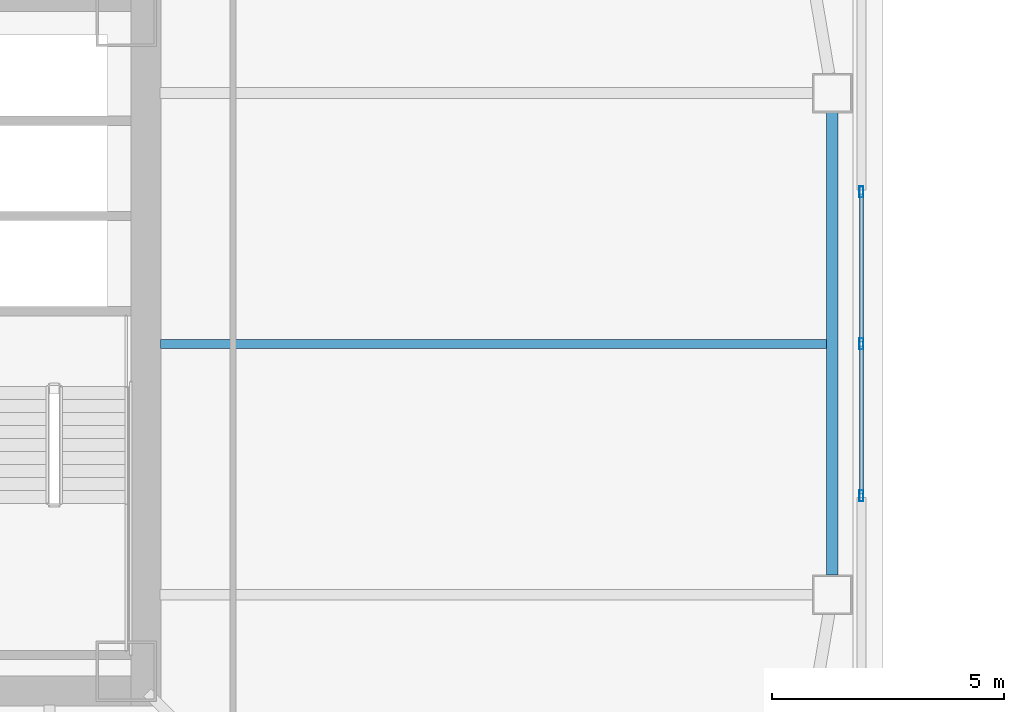
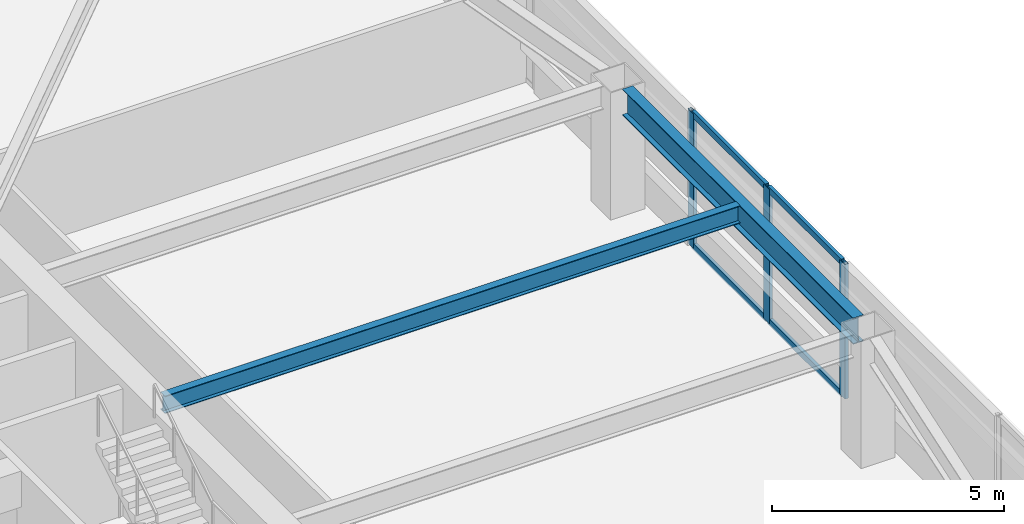
# One storey, part 9 of 45: 7 members, 2 beams, 1 element without a shape of its own.
"""IFC4 building model written with IfcOpenShell, lengths in metres."""

import ifcopenshell
import ifcopenshell.guid

model = None  # the IFC model being written
_history = None  # IfcOwnerHistory: only IFC2X3 demands one
_inside = {}  # id of a spatial element -> (the spatial element, [elements in it])
_under = {}  # id of a project, library or spatial element -> (it, [spatial elements below it])
_declared = {}  # id of a project -> (the project, [libraries it declares])
_typed = {}  # id of a type object -> (the type object, [elements of that type])
_made_of = {}  # id of a material, layer set ... -> (it, [elements and type objects made of it])


def new_model(schema):
    """Start an empty IFC model of exactly this schema.

    Asked for "IFC4X3", IfcOpenShell would pick the latest addendum, in which some entities
    have other attributes; the version numbers below select the first issue.
    IFC2X3 requires an IfcOwnerHistory on every rooted entity: one is made here for all.
    """
    global model, _history
    if schema == "IFC4X3":
        model = ifcopenshell.file(schema_version=(4, 3, 0, 0))
    else:
        model = ifcopenshell.file(schema=schema)
    _inside.clear()
    _under.clear()
    _declared.clear()
    _typed.clear()
    _made_of.clear()
    _history = None
    if model.schema == "IFC2X3":
        org = make("IfcOrganization", Name="unknown")
        user = make(
            "IfcPersonAndOrganization",
            ThePerson=make("IfcPerson", FamilyName="unknown"),
            TheOrganization=org,
        )
        app = make(
            "IfcApplication",
            ApplicationDeveloper=org,
            Version="unknown",
            ApplicationFullName="unknown",
            ApplicationIdentifier="unknown",
        )
        _history = make(
            "IfcOwnerHistory",
            OwningUser=user,
            OwningApplication=app,
            ChangeAction="ADDED",
            CreationDate=0,
        )
    return model


def make(cls, **values):
    """One entity of the class cls with the attributes given. An attribute that is None is left unset."""
    return model.create_entity(
        cls, **{name: value for name, value in values.items() if value is not None}
    )


def rooted(cls, **values):
    """An entity with a GlobalId (a new one), such as an element, a storey or a relation."""
    return make(cls, GlobalId=ifcopenshell.guid.new(), OwnerHistory=_history, **values)


def si_unit(unit_type, name, prefix=None):
    """IfcSIUnit, for example si_unit("LENGTHUNIT", "METRE", prefix="MILLI")."""
    return make("IfcSIUnit", UnitType=unit_type, Prefix=prefix, Name=name)


def assignment(units):
    """IfcUnitAssignment: the units of a project."""
    return None if units is None else make("IfcUnitAssignment", Units=units)


def point(xyz):
    """IfcCartesianPoint."""
    return None if xyz is None else make("IfcCartesianPoint", Coordinates=xyz)


def direction(xyz):
    """IfcDirection."""
    return None if xyz is None else make("IfcDirection", DirectionRatios=xyz)


def frame(location, z_axis=None, x_axis=None):
    """IfcAxis2Placement3D, a coordinate frame: its origin and axes. An axis left out is left unset."""
    return make(
        "IfcAxis2Placement3D",
        Location=point(location),
        Axis=direction(z_axis),
        RefDirection=direction(x_axis),
    )


def frame_2d(location, x_axis=None):
    """IfcAxis2Placement2D, a coordinate frame in the plane: its origin and x axis."""
    return make(
        "IfcAxis2Placement2D", Location=point(location), RefDirection=direction(x_axis)
    )


def origin():
    """The frame at (0, 0, 0) with its axes left unset."""
    return frame((0.0, 0.0, 0.0))


def origin_2d():
    """The frame at (0, 0) in the plane with its x axis left unset."""
    return frame_2d((0.0, 0.0))


def place(relative_to, where):
    """IfcLocalPlacement: puts the frame where relative to a parent placement (None: the world)."""
    return make(
        "IfcLocalPlacement", PlacementRelTo=relative_to, RelativePlacement=where
    )


def context(
    kind, dimensions, precision=None, world=None, true_north=None, identifier=None
):
    """IfcGeometricRepresentationContext, for example the 3D "Model" context."""
    return make(
        "IfcGeometricRepresentationContext",
        ContextIdentifier=identifier,
        ContextType=kind,
        CoordinateSpaceDimension=dimensions,
        Precision=precision,
        WorldCoordinateSystem=world,
        TrueNorth=true_north,
    )


def subcontext(parent, identifier, kind, view, scale=None):
    """IfcGeometricRepresentationSubContext, for example "Body" below "Model"."""
    return make(
        "IfcGeometricRepresentationSubContext",
        ContextIdentifier=identifier,
        ContextType=kind,
        ParentContext=parent,
        TargetScale=scale,
        TargetView=view,
    )


def project(units=None, contexts=None):
    """IfcProject with its units and contexts."""
    return rooted(
        "IfcProject",
        Name="project",
        RepresentationContexts=contexts,
        UnitsInContext=assignment(units),
    )


def spatial(cls, under=None, at=None, **own):
    """A site, building, storey or space (cls), placed at a placement, below another one or the project."""
    s = rooted(cls, ObjectPlacement=at, **own)
    if under is not None:
        _under.setdefault(under.id(), (under, []))[1].append(s)
    return s


def profile(cls, at=None, kind="AREA", **sizes):
    """A parametric profile (cls). Its sizes go by their IFC names, for example OverallWidth=200.0."""
    return make(cls, ProfileType=kind, Position=at, **sizes)


def hollow_rectangle(**sizes):
    """IfcRectangleHollowProfileDef."""
    return profile("IfcRectangleHollowProfileDef", **sizes)


def i_section(**sizes):
    """IfcIShapeProfileDef."""
    return profile("IfcIShapeProfileDef", **sizes)


def extrude(swept, where, along, depth):
    """IfcExtrudedAreaSolid: the profile swept, set in the frame where, extruded along a direction by depth."""
    return make(
        "IfcExtrudedAreaSolid",
        SweptArea=swept,
        Position=where,
        ExtrudedDirection=direction(along),
        Depth=depth,
    )


def shape(context_of_items, identifier, shape_type, items):
    """IfcShapeRepresentation: the items that make up one representation, for example the "Body"."""
    return make(
        "IfcShapeRepresentation",
        ContextOfItems=context_of_items,
        RepresentationIdentifier=identifier,
        RepresentationType=shape_type,
        Items=items,
    )


def material(Name=None, Category=None):
    """IfcMaterial."""
    return make("IfcMaterial", Name=Name, Category=Category)


def material_profile(
    of_material, cross_section, Name=None, Category=None, Priority=None
):
    """IfcMaterialProfile: a cross section and its material."""
    return make(
        "IfcMaterialProfile",
        Name=Name,
        Material=of_material,
        Profile=cross_section,
        Priority=Priority,
        Category=Category,
    )


def profile_set(profiles, Name=None, composite=None):
    """IfcMaterialProfileSet."""
    return make(
        "IfcMaterialProfileSet",
        Name=Name,
        MaterialProfiles=profiles,
        CompositeProfile=composite,
    )


def made_of(thing, what):
    """Note that an element or type object is made of a material, layer set ...; save() writes the relation."""
    if what is not None:
        _made_of.setdefault(what.id(), (what, []))[1].append(thing)
    return thing


def type_object(cls, material=None, **own):
    """A type object (cls), such as IfcWallType, which elements share."""
    return made_of(rooted(cls, **own), material)


def element(
    cls,
    number,
    at=None,
    inside=None,
    cuts=None,
    type_object=None,
    material=None,
    context=None,
    identifier="Body",
    shape_type=None,
    held_by="IfcProductDefinitionShape",
    body=None,
    shapes=None,
    **own,
):
    """One element of the class cls, such as IfcWall. Its Tag is "e" and its number.

    at: its placement. inside: the storey or other place that contains it. cuts: it is an
    opening in that element (IfcRelVoidsElement). A single representation is given by context,
    identifier, shape_type and body (its items); several are given by shapes. held_by: the class
    of the entity that holds the representations. save() writes the other relations.
    """
    e = rooted(cls, Tag="e%d" % number, ObjectPlacement=at, **own)
    if body is not None:
        shapes = [shape(context, identifier, shape_type, body)]
    if shapes is not None:
        e.Representation = make(held_by, Representations=shapes)
    if inside is not None:
        _inside.setdefault(inside.id(), (inside, []))[1].append(e)
    if cuts is not None:
        rooted(
            "IfcRelVoidsElement", RelatingBuildingElement=cuts, RelatedOpeningElement=e
        )
    if type_object is not None:
        _typed.setdefault(type_object.id(), (type_object, []))[1].append(e)
    return made_of(e, material)


def aggregate(whole, parts):
    """IfcRelAggregates: a whole, such as a stair, and the parts it consists of."""
    return rooted("IfcRelAggregates", RelatingObject=whole, RelatedObjects=parts)


def save(model, path):
    """Write the relations noted so far, then the file.

    IfcRelAggregates (storeys below a building ...), IfcRelContainedInSpatialStructure (elements
    in a storey), IfcRelDefinesByType, IfcRelAssociatesMaterial and IfcRelDeclares: one each for
    every whole, place, type object, material and project.
    """
    for whole, parts in _under.values():
        aggregate(whole, parts)
    for where, things in _inside.values():
        rooted(
            "IfcRelContainedInSpatialStructure",
            RelatedElements=things,
            RelatingStructure=where,
        )
    for kind, things in _typed.values():
        rooted("IfcRelDefinesByType", RelatedObjects=things, RelatingType=kind)
    for what, things in _made_of.values():
        rooted("IfcRelAssociatesMaterial", RelatedObjects=things, RelatingMaterial=what)
    for by, libraries in _declared.values():
        rooted("IfcRelDeclares", RelatingContext=by, RelatedDefinitions=libraries)
    model.write(path)


model = new_model("IFC4")

# Units and contexts
model_context = context("Model", 3, precision=1e-05, world=origin(), true_north=direction((0.0, 1.0)))
body_context = subcontext(model_context, "Body", "Model", "MODEL_VIEW")
ifc_project = project(units=[si_unit("LENGTHUNIT", "METRE"), si_unit("AREAUNIT", "SQUARE_METRE"), si_unit("VOLUMEUNIT", "CUBIC_METRE"), si_unit("PLANEANGLEUNIT", "RADIAN"), si_unit("MASSUNIT", "GRAM", prefix="KILO")], contexts=[model_context])

# Site, building, storey
site_placement = place(None, origin())
site = spatial("IfcSite", under=ifc_project, at=site_placement, CompositionType="ELEMENT")
building_placement = place(site_placement, origin())
building = spatial("IfcBuilding", under=site, at=building_placement, Name="Tashvorn Skyway Center", CompositionType="ELEMENT")
storey_placement = place(building_placement, frame((0.0, 0.0, 35.25)))
storey = spatial("IfcBuildingStorey", under=building, at=storey_placement, Name="L08", CompositionType="ELEMENT", Elevation=35.25)

# Beams
ifc_material_1 = material(Name="Steel ASTM A992 Grade 50", Category="steel")
ifc_material_profile_1 = material_profile(ifc_material_1, i_section(OverallWidth=0.19091796875, OverallDepth=0.4599609375, WebThickness=0.010009765625, FlangeThickness=0.01611328125, at=origin_2d()), Name="W18X55")
ifc_profile_set_1 = profile_set([ifc_material_profile_1], Name="Steel ASTM A992 Grade 50")
beam_type_1 = type_object("IfcBeamType", Name="BM-JOIST-W18X55", PredefinedType="JOIST", material=ifc_profile_set_1)
beam_1_placement = place(storey_placement, frame((49.7900390625, 32.0, 3.1201171875), z_axis=(1.0, 0.0, 0.0), x_axis=(0.0, 1.0, 0.0)))
element("IfcBeam", 1, at=beam_1_placement, inside=storey, type_object=beam_type_1, Name="Tower 1 L08 Secondary Composite Joist JE", PredefinedType="JOIST", context=body_context, shape_type="SweptSolid", body=[
    extrude(i_section(OverallWidth=0.19091796875, OverallDepth=0.4599609375, WebThickness=0.010009765625, FlangeThickness=0.01611328125, at=origin_2d()), origin(), (0.0, 0.0, 1.0), 14.33984375),
])
ifc_material_profile_2 = material_profile(ifc_material_1, i_section(OverallWidth=0.256103515625, OverallDepth=0.693115234375, WebThickness=0.014404296875, FlangeThickness=0.023681640625, at=origin_2d()), Name="W27X114")
ifc_profile_set_2 = profile_set([ifc_material_profile_2], Name="Steel ASTM A992 Grade 50")
beam_type_2 = type_object("IfcBeamType", Name="BM-SPANDREL-W27X114", PredefinedType="SPANDREL", material=ifc_profile_set_2)
beam_2_placement = place(storey_placement, frame((64.25, 27.02001953125, 3.00341796875), z_axis=(0.0, 1.0, 0.0), x_axis=(-1.0, 0.0, 0.0)))
element("IfcBeam", 2, at=beam_2_placement, inside=storey, type_object=beam_type_2, Name="Tower 1 L08 Spandrel Beam 05", PredefinedType="SPANDREL", context=body_context, shape_type="SweptSolid", body=[
    extrude(i_section(OverallWidth=0.256103515625, OverallDepth=0.693115234375, WebThickness=0.014404296875, FlangeThickness=0.023681640625, at=origin_2d()), origin(), (0.0, 0.0, 1.0), 9.9599609375),
])

# Curtain wall, members
ifc_material_2 = material(Name="Thermally broken bronze-anodized aluminium 6063-T6", Category="aluminium")
curtain_wall_type = type_object("IfcCurtainWallType", Name="CW-CW-Z1", PredefinedType="NOTDEFINED", material=ifc_material_2)
curtain_wall_placement = place(storey_placement, origin())
curtain_wall = element("IfcCurtainWall", 3, at=curtain_wall_placement, inside=storey, type_object=curtain_wall_type, Name="Tower 1 L08 East Unitised Curtain Wall Glazing Group 2", PredefinedType="NOTDEFINED")
ifc_material_profile_3 = material_profile(ifc_material_2, hollow_rectangle(XDim=0.0849609375, YDim=0.239990234375, WallThickness=0.0048828125, at=origin_2d()), Name="ALU-MULL-85x240")
ifc_profile_set_3 = profile_set([ifc_material_profile_3], Name="Thermally broken bronze-anodized aluminium 6063-T6")
member_type_1 = type_object("IfcMemberType", Name="CWM-CW-Z1", PredefinedType="MULLION", material=ifc_profile_set_3)
member_1_placement = place(storey_placement, frame((64.8798828125, 35.270751953125, 0.0), z_axis=(0.0, 0.0, 1.0), x_axis=(1.0, 0.0, 0.0)))
member_1 = element("IfcMember", 4, at=member_1_placement, type_object=member_type_1, Name="CW-Z1 mullion 1", PredefinedType="MULLION", context=body_context, shape_type="SweptSolid", body=[
    extrude(hollow_rectangle(XDim=0.0849609375, YDim=0.239990234375, WallThickness=0.0048828125, at=origin_2d()), origin(), (0.0, 0.0, 1.0), 3.550048828125),
])
member_2_placement = place(storey_placement, frame((64.8798828125, 32.0, 0.0), z_axis=(0.0, 0.0, 1.0), x_axis=(1.0, 0.0, 0.0)))
member_2 = element("IfcMember", 5, at=member_2_placement, type_object=member_type_1, Name="CW-Z1 mullion 2", PredefinedType="MULLION", context=body_context, shape_type="SweptSolid", body=[
    extrude(hollow_rectangle(XDim=0.0849609375, YDim=0.239990234375, WallThickness=0.0048828125, at=origin_2d()), origin(), (0.0, 0.0, 1.0), 3.550048828125),
])
member_3_placement = place(storey_placement, frame((64.8798828125, 28.729248046875, 0.0), z_axis=(0.0, 0.0, 1.0), x_axis=(1.0, 0.0, 0.0)))
member_3 = element("IfcMember", 6, at=member_3_placement, type_object=member_type_1, Name="CW-Z1 mullion 3", PredefinedType="MULLION", context=body_context, shape_type="SweptSolid", body=[
    extrude(hollow_rectangle(XDim=0.0849609375, YDim=0.239990234375, WallThickness=0.0048828125, at=origin_2d()), origin(), (0.0, 0.0, 1.0), 3.550048828125),
])
ifc_material_profile_4 = material_profile(ifc_material_2, hollow_rectangle(XDim=0.0849609375, YDim=0.1650390625, WallThickness=0.0048828125, at=origin_2d()), Name="ALU-TRAN-85x165")
ifc_profile_set_4 = profile_set([ifc_material_profile_4], Name="Thermally broken bronze-anodized aluminium 6063-T6")
member_type_2 = type_object("IfcMemberType", Name="CWT-CW-Z1", PredefinedType="USERDEFINED", material=ifc_profile_set_4)
member_4_placement = place(storey_placement, frame((64.8798828125, 35.228271484375, 0.04248046875), z_axis=(0.0, -1.0, 0.0), x_axis=(1.0, 0.0, 0.0)))
member_4 = element("IfcMember", 7, at=member_4_placement, type_object=member_type_2, Name="CW-Z1 transom 1.1", ObjectType="TRANSOM", PredefinedType="USERDEFINED", context=body_context, shape_type="SweptSolid", body=[
    extrude(hollow_rectangle(XDim=0.0849609375, YDim=0.1650390625, WallThickness=0.0048828125, at=origin_2d()), origin(), (0.0, 0.0, 1.0), 3.185791015625),
])
member_5_placement = place(storey_placement, frame((64.8798828125, 35.228271484375, 3.507568359375), z_axis=(0.0, -1.0, 0.0), x_axis=(1.0, 0.0, 0.0)))
member_5 = element("IfcMember", 8, at=member_5_placement, type_object=member_type_2, Name="CW-Z1 transom 1.2", ObjectType="TRANSOM", PredefinedType="USERDEFINED", context=body_context, shape_type="SweptSolid", body=[
    extrude(hollow_rectangle(XDim=0.0849609375, YDim=0.1650390625, WallThickness=0.0048828125, at=origin_2d()), origin(), (0.0, 0.0, 1.0), 3.185791015625),
])
member_6_placement = place(storey_placement, frame((64.8798828125, 31.95751953125, 0.04248046875), z_axis=(0.0, -1.0, 0.0), x_axis=(1.0, 0.0, 0.0)))
member_6 = element("IfcMember", 9, at=member_6_placement, type_object=member_type_2, Name="CW-Z1 transom 2.1", ObjectType="TRANSOM", PredefinedType="USERDEFINED", context=body_context, shape_type="SweptSolid", body=[
    extrude(hollow_rectangle(XDim=0.0849609375, YDim=0.1650390625, WallThickness=0.0048828125, at=origin_2d()), origin(), (0.0, 0.0, 1.0), 3.185791015625),
])
member_7_placement = place(storey_placement, frame((64.8798828125, 31.95751953125, 3.507568359375), z_axis=(0.0, -1.0, 0.0), x_axis=(1.0, 0.0, 0.0)))
member_7 = element("IfcMember", 10, at=member_7_placement, type_object=member_type_2, Name="CW-Z1 transom 2.2", ObjectType="TRANSOM", PredefinedType="USERDEFINED", context=body_context, shape_type="SweptSolid", body=[
    extrude(hollow_rectangle(XDim=0.0849609375, YDim=0.1650390625, WallThickness=0.0048828125, at=origin_2d()), origin(), (0.0, 0.0, 1.0), 3.185791015625),
])
aggregate(curtain_wall, [member_1, member_2, member_3, member_4, member_5, member_6, member_7])

save(model, "model.ifc")
